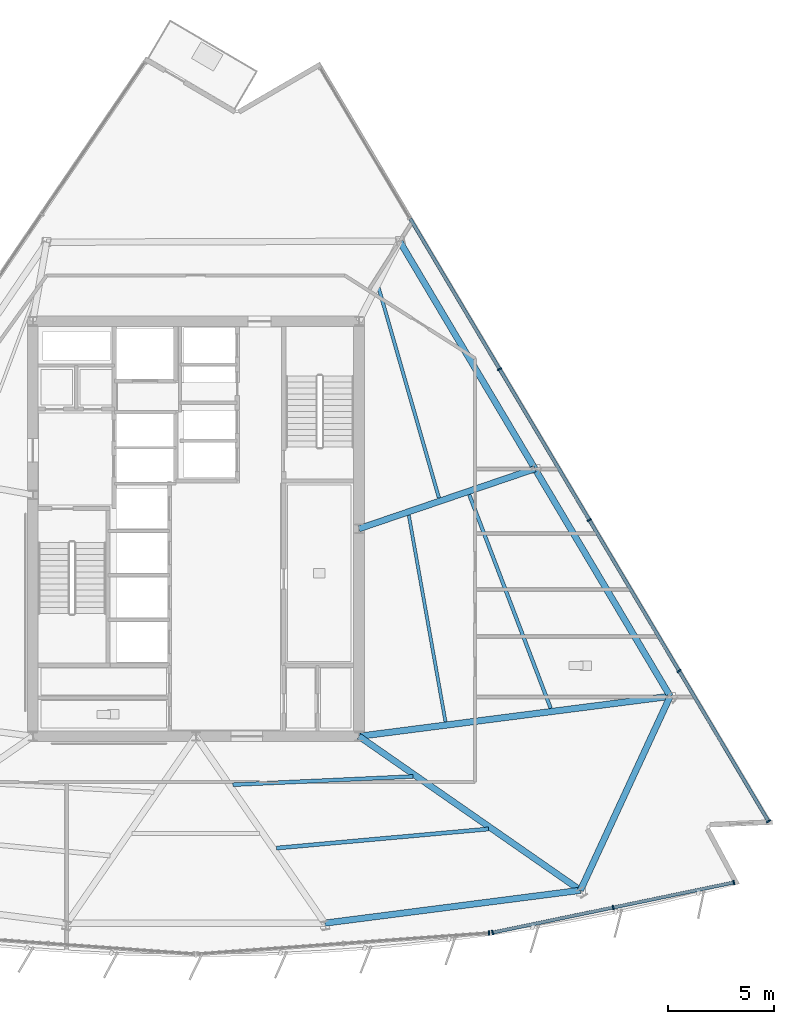
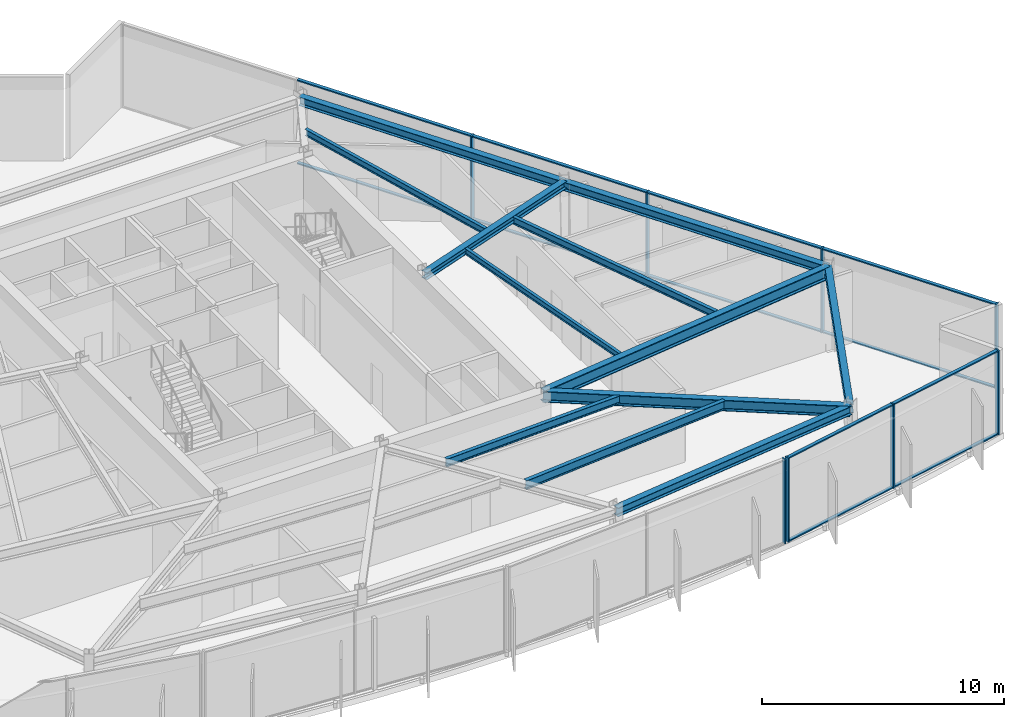
# One storey, part 4 of 14: 20 members, 12 beams, 3 elements without a shape of their own.
"""IFC4 building model written with IfcOpenShell, lengths in metres."""

from ifc_helpers import new_model, si_unit, direction, frame, origin, origin_2d, place, context, subcontext, project, spatial, rectangle, i_section, extrude, material, material_profile, profile_set, type_object, element, aggregate, save


model = new_model("IFC4")

# Units and contexts
model_context = context("Model", 3, precision=1e-05, world=origin(), true_north=direction((0.0, 1.0)))
body_context = subcontext(model_context, "Body", "Model", "MODEL_VIEW")
ifc_project = project(units=[si_unit("LENGTHUNIT", "METRE"), si_unit("AREAUNIT", "SQUARE_METRE"), si_unit("VOLUMEUNIT", "CUBIC_METRE"), si_unit("PLANEANGLEUNIT", "RADIAN"), si_unit("MASSUNIT", "GRAM", prefix="KILO")], contexts=[model_context])

# Site, building, storey
site_placement = place(None, origin())
site = spatial("IfcSite", under=ifc_project, at=site_placement, CompositionType="ELEMENT")
building_placement = place(site_placement, origin())
building = spatial("IfcBuilding", under=site, at=building_placement, Name="Savorim Split Tower", CompositionType="ELEMENT")
storey_placement = place(building_placement, frame((0.0, 0.0, 134.10009765625)))
storey = spatial("IfcBuildingStorey", under=building, at=storey_placement, Name="L35", CompositionType="ELEMENT", Elevation=134.10009765625)

# Beams
ifc_material_1 = material(Name="Steel S355", Category="steel")
ifc_material_profile_1 = material_profile(ifc_material_1, i_section(OverallWidth=0.14990234375, OverallDepth=0.300048828125, WebThickness=0.007080078125, FlangeThickness=0.0107421875, FilletRadius=0.014892578125, at=origin_2d()), Name="IPE 300")
ifc_profile_set_1 = profile_set([ifc_material_profile_1], Name="Steel S355")
beam_type_1 = type_object("IfcBeamType", Name="BM-JST-IPE300", PredefinedType="JOIST", material=ifc_profile_set_1)
beam_1_placement = place(storey_placement, frame((11.786376953125, -8.71337890625, 4.099853515625), z_axis=(-0.174985001759, 0.984571099088, 0.0), x_axis=(-0.984571099088, -0.174985001759, 0.0)))
element("IfcBeam", 1, at=beam_1_placement, inside=storey, type_object=beam_type_1, Name="L35 Secondary Floor Joist JS-08", PredefinedType="JOIST", context=body_context, shape_type="SweptSolid", body=[
    extrude(i_section(OverallWidth=0.14990234375, OverallDepth=0.300048828125, WebThickness=0.007080078125, FlangeThickness=0.0107421875, FilletRadius=0.014892578125, at=origin_2d()), origin(), (0.0, 0.0, 1.0), 9.90185546875),
])
ifc_material_profile_2 = material_profile(ifc_material_1, i_section(OverallWidth=0.159912109375, OverallDepth=0.330078125, WebThickness=0.007568359375, FlangeThickness=0.011474609375, FilletRadius=0.01806640625, at=origin_2d()), Name="IPE 330")
ifc_profile_set_2 = profile_set([ifc_material_profile_2], Name="Steel S355")
beam_type_2 = type_object("IfcBeamType", Name="BM-JST-IPE330", PredefinedType="JOIST", material=ifc_profile_set_2)
beam_2_placement = place(storey_placement, frame((11.476806640625, 1.856689453125, 4.0849609375), z_axis=(-0.275969785648, 0.961166311004, 0.0), x_axis=(-0.961166311004, -0.275969785648, 0.0)))
element("IfcBeam", 2, at=beam_2_placement, inside=storey, type_object=beam_type_2, Name="L35 Secondary Floor Joist JS-07", PredefinedType="JOIST", context=body_context, shape_type="SweptSolid", body=[
    extrude(i_section(OverallWidth=0.159912109375, OverallDepth=0.330078125, WebThickness=0.007568359375, FlangeThickness=0.011474609375, FilletRadius=0.01806640625, at=origin_2d()), origin(), (0.0, 0.0, 1.0), 10.32763671875),
])
ifc_material_profile_3 = material_profile(ifc_material_1, i_section(OverallWidth=0.169921875, OverallDepth=0.360107421875, WebThickness=0.008056640625, FlangeThickness=0.0126953125, FilletRadius=0.01806640625, at=origin_2d()), Name="IPE 360")
ifc_profile_set_3 = profile_set([ifc_material_profile_3], Name="Steel S355")
beam_type_3 = type_object("IfcBeamType", Name="BM-JST-IPE360", PredefinedType="JOIST", material=ifc_profile_set_3)
beam_3_placement = place(storey_placement, frame((16.75341796875, -8.0791015625, 4.06982421875), z_axis=(-0.356340479419, 0.934356175517, 0.0), x_axis=(-0.934356175517, -0.356340479419, 0.0)))
element("IfcBeam", 3, at=beam_3_placement, inside=storey, type_object=beam_type_3, Name="L35 Secondary Floor Joist JS-06", PredefinedType="JOIST", context=body_context, shape_type="SweptSolid", body=[
    extrude(i_section(OverallWidth=0.169921875, OverallDepth=0.360107421875, WebThickness=0.008056640625, FlangeThickness=0.0126953125, FilletRadius=0.01806640625, at=origin_2d()), origin(), (0.0, 0.0, 1.0), 10.794189453125),
])
ifc_material_profile_4 = material_profile(ifc_material_1, i_section(OverallWidth=0.179931640625, OverallDepth=0.39990234375, WebThickness=0.008544921875, FlangeThickness=0.013427734375, FilletRadius=0.02099609375, at=origin_2d()), Name="IPE 400")
ifc_profile_set_4 = profile_set([ifc_material_profile_4], Name="Steel S355")
beam_type_4 = type_object("IfcBeamType", Name="BM-JST-IPE400", PredefinedType="JOIST", material=ifc_profile_set_4)
beam_4_placement = place(storey_placement, frame((1.741943359375, -11.686279296875, 4.0498046875), z_axis=(0.998962982859, 0.045529758148, 0.0), x_axis=(-0.045529758148, 0.998962982859, 0.0)))
element("IfcBeam", 4, at=beam_4_placement, inside=storey, type_object=beam_type_4, Name="L35 Secondary Floor Joist JS-05", PredefinedType="JOIST", context=body_context, shape_type="SweptSolid", body=[
    extrude(i_section(OverallWidth=0.179931640625, OverallDepth=0.39990234375, WebThickness=0.008544921875, FlangeThickness=0.013427734375, FilletRadius=0.02099609375, at=origin_2d()), origin(), (0.0, 0.0, 1.0), 8.52587890625),
])
ifc_material_profile_5 = material_profile(ifc_material_1, i_section(OverallWidth=0.18994140625, OverallDepth=0.449951171875, WebThickness=0.009521484375, FlangeThickness=0.0146484375, FilletRadius=0.02099609375, at=origin_2d()), Name="IPE 450")
ifc_profile_set_5 = profile_set([ifc_material_profile_5], Name="Steel S355")
beam_type_5 = type_object("IfcBeamType", Name="BM-JST-IPE450", PredefinedType="JOIST", material=ifc_profile_set_5)
beam_5_placement = place(storey_placement, frame((3.810546875, -14.6787109375, 4.02490234375), z_axis=(0.995967774434, 0.089711717682, 0.0), x_axis=(-0.089711717682, 0.995967774434, 0.0)))
element("IfcBeam", 5, at=beam_5_placement, inside=storey, type_object=beam_type_5, Name="L35 Secondary Floor Joist JS-04", PredefinedType="JOIST", context=body_context, shape_type="SweptSolid", body=[
    extrude(i_section(OverallWidth=0.18994140625, OverallDepth=0.449951171875, WebThickness=0.009521484375, FlangeThickness=0.0146484375, FilletRadius=0.02099609375, at=origin_2d()), origin(), (0.0, 0.0, 1.0), 10.044677734375),
])
ifc_material_profile_6 = material_profile(ifc_material_1, i_section(OverallWidth=0.300048828125, OverallDepth=0.360107421875, WebThickness=0.012451171875, FlangeThickness=0.0224609375, FilletRadius=0.027099609375, at=origin_2d()), Name="HEB 360")
ifc_profile_set_6 = profile_set([ifc_material_profile_6], Name="Steel S355")
beam_type_6 = type_object("IfcBeamType", Name="BM-PRI-HEB360", PredefinedType="BEAM", material=ifc_profile_set_6)
beam_6_placement = place(storey_placement, frame((16.00634765625, 3.232666015625, 4.06982421875), z_axis=(-0.946474073356, -0.322779845197, 0.0), x_axis=(0.322779845197, -0.946474073356, 0.0)))
element("IfcBeam", 6, at=beam_6_placement, inside=storey, type_object=beam_type_6, Name="L35 Primary Floor Girder RG-06", PredefinedType="BEAM", context=body_context, shape_type="SweptSolid", body=[
    extrude(i_section(OverallWidth=0.300048828125, OverallDepth=0.360107421875, WebThickness=0.012451171875, FlangeThickness=0.0224609375, FilletRadius=0.027099609375, at=origin_2d()), origin(), (0.0, 0.0, 1.0), 8.776123046875),
])
ifc_material_profile_7 = material_profile(ifc_material_1, i_section(OverallWidth=0.300048828125, OverallDepth=0.550048828125, WebThickness=0.014892578125, FlangeThickness=0.029052734375, FilletRadius=0.027099609375, at=origin_2d()), Name="HEB 550")
ifc_profile_set_7 = profile_set([ifc_material_profile_7], Name="Steel S355")
beam_type_7 = type_object("IfcBeamType", Name="BM-PRI-HEB550", PredefinedType="BEAM", material=ifc_profile_set_7)
beam_7_placement = place(storey_placement, frame((18.156982421875, -16.672119140625, 3.974853515625), z_axis=(-0.82098762622, 0.57094598483, 0.0), x_axis=(-0.57094598483, -0.82098762622, 0.0)))
element("IfcBeam", 7, at=beam_7_placement, inside=storey, type_object=beam_type_7, Name="L35 Primary Floor Girder RG-04", PredefinedType="BEAM", context=body_context, shape_type="SweptSolid", body=[
    extrude(i_section(OverallWidth=0.300048828125, OverallDepth=0.550048828125, WebThickness=0.014892578125, FlangeThickness=0.029052734375, FilletRadius=0.027099609375, at=origin_2d()), origin(), (0.0, 0.0, 1.0), 12.737060546875),
])
ifc_material_2 = material(Name="Steel S460", Category="steel")
ifc_material_profile_8 = material_profile(ifc_material_2, i_section(OverallWidth=0.304931640625, OverallDepth=0.6201171875, WebThickness=0.02099609375, FlangeThickness=0.0400390625, FilletRadius=0.027099609375, at=origin_2d()), Name="HE 600 M")
ifc_profile_set_8 = profile_set([ifc_material_profile_8], Name="Steel S460")
beam_type_8 = type_object("IfcBeamType", Name="BM-PRI-HEM600", PredefinedType="BEAM", material=ifc_profile_set_8)
beam_8_placement = place(storey_placement, frame((22.394287109375, -7.510498046875, 3.93994140625), z_axis=(-0.991834643809, -0.127530542773, 0.0), x_axis=(0.127530542773, -0.991834643809, 0.0)))
element("IfcBeam", 8, at=beam_8_placement, inside=storey, type_object=beam_type_8, Name="L35 Primary Floor Girder RG-05", PredefinedType="BEAM", context=body_context, shape_type="SweptSolid", body=[
    extrude(i_section(OverallWidth=0.304931640625, OverallDepth=0.6201171875, WebThickness=0.02099609375, FlangeThickness=0.0400390625, FilletRadius=0.027099609375, at=origin_2d()), origin(), (0.0, 0.0, 1.0), 14.8154296875),
])
ifc_material_profile_9 = material_profile(ifc_material_1, i_section(OverallWidth=0.300048828125, OverallDepth=0.43994140625, WebThickness=0.011474609375, FlangeThickness=0.02099609375, FilletRadius=0.027099609375, at=origin_2d()), Name="HEA 450")
ifc_profile_set_9 = profile_set([ifc_material_profile_9], Name="Steel S355")
beam_type_9 = type_object("IfcBeamType", Name="BM-SPN-HEA450", PredefinedType="SPANDREL", material=ifc_profile_set_9)
beam_9_placement = place(storey_placement, frame((6.085205078125, -18.221923828125, 4.02978515625), z_axis=(0.99185946223, 0.127337375445, 0.0), x_axis=(-0.127337375445, 0.99185946223, 0.0)))
element("IfcBeam", 9, at=beam_9_placement, inside=storey, type_object=beam_type_9, Name="L35 Perimeter Spandrel Beam 3", PredefinedType="SPANDREL", context=body_context, shape_type="SweptSolid", body=[
    extrude(i_section(OverallWidth=0.300048828125, OverallDepth=0.43994140625, WebThickness=0.011474609375, FlangeThickness=0.02099609375, FilletRadius=0.027099609375, at=origin_2d()), origin(), (0.0, 0.0, 1.0), 12.1708984375),
])
beam_10_placement = place(storey_placement, frame((18.156982421875, -16.672119140625, 4.02978515625), z_axis=(0.419781989384, 0.907624967367, 0.0), x_axis=(-0.907624967367, 0.419781989384, 0.0)))
element("IfcBeam", 10, at=beam_10_placement, inside=storey, type_object=beam_type_9, Name="L35 Perimeter Spandrel Beam 4", PredefinedType="SPANDREL", context=body_context, shape_type="SweptSolid", body=[
    extrude(i_section(OverallWidth=0.300048828125, OverallDepth=0.43994140625, WebThickness=0.011474609375, FlangeThickness=0.02099609375, FilletRadius=0.027099609375, at=origin_2d()), origin(), (0.0, 0.0, 1.0), 10.093994140625),
])
beam_11_placement = place(storey_placement, frame((22.394287109375, -7.510498046875, 4.02978515625), z_axis=(-0.511082023344, 0.859531945546, 0.0), x_axis=(-0.859531945546, -0.511082023344, 0.0)))
element("IfcBeam", 11, at=beam_11_placement, inside=storey, type_object=beam_type_9, Name="L35 Perimeter Spandrel Beam 5", PredefinedType="SPANDREL", context=body_context, shape_type="SweptSolid", body=[
    extrude(i_section(OverallWidth=0.300048828125, OverallDepth=0.43994140625, WebThickness=0.011474609375, FlangeThickness=0.02099609375, FilletRadius=0.027099609375, at=origin_2d()), origin(), (0.0, 0.0, 1.0), 12.498779296875),
])
beam_12_placement = place(storey_placement, frame((16.00634765625, 3.232666015625, 4.02978515625), z_axis=(-0.511096454044, 0.859523364815, 0.0), x_axis=(-0.859523364815, -0.511096454044, 0.0)))
element("IfcBeam", 12, at=beam_12_placement, inside=storey, type_object=beam_type_9, Name="L35 Perimeter Spandrel Beam 6", PredefinedType="SPANDREL", context=body_context, shape_type="SweptSolid", body=[
    extrude(i_section(OverallWidth=0.300048828125, OverallDepth=0.43994140625, WebThickness=0.011474609375, FlangeThickness=0.02099609375, FilletRadius=0.027099609375, at=origin_2d()), origin(), (0.0, 0.0, 1.0), 12.4990234375),
])

# Curtain wall, member
ifc_material_3 = material(Name="Dark Ceramic-Fritted Insulated Glass", Category="glass")
curtain_wall_type = type_object("IfcCurtainWallType", Name="CW-SKY-ATRIUM", PredefinedType="NOTDEFINED", material=ifc_material_3)
curtain_wall_1_placement = place(storey_placement, origin())
curtain_wall_1 = element("IfcCurtainWall", 13, at=curtain_wall_1_placement, inside=storey, type_object=curtain_wall_type, Name="L35 Curtain Wall CW-L35-SF3", PredefinedType="NOTDEFINED")
ifc_material_4 = material(Name="Charcoal Anodised Aluminium", Category="aluminium")
ifc_material_profile_10 = material_profile(ifc_material_4, rectangle(XDim=0.219970703125, YDim=0.070068359375, at=origin_2d()), Name="ALU-M 220x70")
ifc_profile_set_10 = profile_set([ifc_material_profile_10], Name="Charcoal Anodised Aluminium")
member_type_1 = type_object("IfcMemberType", Name="CWM-220x70", PredefinedType="MULLION", material=ifc_profile_set_10)
member_1_placement = place(storey_placement, frame((13.837646484375, -18.6884765625, 0.0), z_axis=(0.0, 0.0, 1.0), x_axis=(-0.071560918492, 0.997436231017, 0.0)))
member_1 = element("IfcMember", 14, at=member_1_placement, type_object=member_type_1, Name="CW-05 mullion 3", PredefinedType="MULLION", context=body_context, shape_type="SweptSolid", body=[
    extrude(rectangle(XDim=0.219970703125, YDim=0.070068359375, at=origin_2d()), origin(), (0.0, 0.0, 1.0), 4.25),
])
aggregate(curtain_wall_1, [member_1])

# Curtain wall, members
curtain_wall_2_placement = place(storey_placement, origin())
curtain_wall_2 = element("IfcCurtainWall", 15, at=curtain_wall_2_placement, inside=storey, type_object=curtain_wall_type, Name="L35 Curtain Wall CW-L35-SF4", PredefinedType="NOTDEFINED")
member_2_placement = place(storey_placement, frame((14.009521484375, -18.66455078125, 0.0), z_axis=(0.0, 0.0, 1.0), x_axis=(-0.203209964912, 0.979135184824, 0.0)))
member_2 = element("IfcMember", 16, at=member_2_placement, type_object=member_type_1, Name="CW-05 mullion 1", PredefinedType="MULLION", context=body_context, shape_type="SweptSolid", body=[
    extrude(rectangle(XDim=0.219970703125, YDim=0.070068359375, at=origin_2d()), origin(), (0.0, 0.0, 1.0), 4.25),
])
member_3_placement = place(storey_placement, frame((19.70458984375, -17.482666015625, 0.0), z_axis=(0.0, 0.0, 1.0), x_axis=(-0.203209964912, 0.979135184824, 0.0)))
member_3 = element("IfcMember", 17, at=member_3_placement, type_object=member_type_1, Name="CW-05 mullion 2", PredefinedType="MULLION", context=body_context, shape_type="SweptSolid", body=[
    extrude(rectangle(XDim=0.219970703125, YDim=0.070068359375, at=origin_2d()), origin(), (0.0, 0.0, 1.0), 4.25),
])
member_4_placement = place(storey_placement, frame((25.3994140625, -16.30078125, 0.0), z_axis=(0.0, 0.0, 1.0), x_axis=(-0.203209964912, 0.979135184824, 0.0)))
member_4 = element("IfcMember", 18, at=member_4_placement, type_object=member_type_1, Name="CW-05 mullion 3", PredefinedType="MULLION", context=body_context, shape_type="SweptSolid", body=[
    extrude(rectangle(XDim=0.219970703125, YDim=0.070068359375, at=origin_2d()), origin(), (0.0, 0.0, 1.0), 4.25),
])

curtain_wall_3_placement = place(storey_placement, origin())
curtain_wall_3 = element("IfcCurtainWall", 19, at=curtain_wall_3_placement, inside=storey, type_object=curtain_wall_type, Name="L35 Curtain Wall CW-L35-EAST", PredefinedType="NOTDEFINED")
member_5_placement = place(storey_placement, frame((27.03125, -13.411376953125, 0.0), z_axis=(0.0, 0.0, 1.0), x_axis=(-0.859526723197, -0.51109080613, 0.0)))
member_5 = element("IfcMember", 20, at=member_5_placement, type_object=member_type_1, Name="CW-05 mullion 1", PredefinedType="MULLION", context=body_context, shape_type="SweptSolid", body=[
    extrude(rectangle(XDim=0.219970703125, YDim=0.070068359375, at=origin_2d()), origin(), (0.0, 0.0, 1.0), 4.25),
])
member_6_placement = place(storey_placement, frame((22.8115234375, -6.31494140625, 0.0), z_axis=(0.0, 0.0, 1.0), x_axis=(-0.859526723197, -0.51109080613, 0.0)))
member_6 = element("IfcMember", 21, at=member_6_placement, type_object=member_type_1, Name="CW-05 mullion 2", PredefinedType="MULLION", context=body_context, shape_type="SweptSolid", body=[
    extrude(rectangle(XDim=0.219970703125, YDim=0.070068359375, at=origin_2d()), origin(), (0.0, 0.0, 1.0), 4.25),
])
member_7_placement = place(storey_placement, frame((18.57421875, 0.811279296875, 0.0), z_axis=(0.0, 0.0, 1.0), x_axis=(-0.859526723197, -0.51109080613, 0.0)))
member_7 = element("IfcMember", 22, at=member_7_placement, type_object=member_type_1, Name="CW-05 mullion 3", PredefinedType="MULLION", context=body_context, shape_type="SweptSolid", body=[
    extrude(rectangle(XDim=0.219970703125, YDim=0.070068359375, at=origin_2d()), origin(), (0.0, 0.0, 1.0), 4.25),
])
member_8_placement = place(storey_placement, frame((14.336669921875, 7.937744140625, 0.0), z_axis=(0.0, 0.0, 1.0), x_axis=(-0.859526723197, -0.51109080613, 0.0)))
member_8 = element("IfcMember", 23, at=member_8_placement, type_object=member_type_1, Name="CW-05 mullion 4", PredefinedType="MULLION", context=body_context, shape_type="SweptSolid", body=[
    extrude(rectangle(XDim=0.219970703125, YDim=0.070068359375, at=origin_2d()), origin(), (0.0, 0.0, 1.0), 4.25),
])

# Member
ifc_material_profile_11 = material_profile(ifc_material_4, rectangle(XDim=0.159912109375, YDim=0.06005859375, at=origin_2d()), Name="ALU-T 160x60")
ifc_profile_set_11 = profile_set([ifc_material_profile_11], Name="Charcoal Anodised Aluminium")
member_type_2 = type_object("IfcMemberType", Name="CWT-160x60", PredefinedType="USERDEFINED", material=ifc_profile_set_11)
member_9_placement = place(storey_placement, frame((14.0439453125, -18.657470703125, 0.02978515625), z_axis=(0.979133199419, 0.20321953104, 0.0), x_axis=(-0.20321953104, 0.979133199419, 0.0)))
member_9 = element("IfcMember", 24, at=member_9_placement, type_object=member_type_2, Name="CW-05 transom 1.1", ObjectType="TRANSOM", PredefinedType="USERDEFINED", context=body_context, shape_type="SweptSolid", body=[
    extrude(rectangle(XDim=0.159912109375, YDim=0.06005859375, at=origin_2d()), origin(), (0.0, 0.0, 1.0), 5.74609375),
])

member_10_placement = place(storey_placement, frame((14.0439453125, -18.657470703125, 4.219970703125), z_axis=(0.979133199419, 0.20321953104, 0.0), x_axis=(-0.20321953104, 0.979133199419, 0.0)))
member_10 = element("IfcMember", 25, at=member_10_placement, type_object=member_type_2, Name="CW-05 transom 1.2", ObjectType="TRANSOM", PredefinedType="USERDEFINED", context=body_context, shape_type="SweptSolid", body=[
    extrude(rectangle(XDim=0.159912109375, YDim=0.06005859375, at=origin_2d()), origin(), (0.0, 0.0, 1.0), 5.74609375),
])

member_11_placement = place(storey_placement, frame((19.73876953125, -17.4755859375, 0.02978515625), z_axis=(0.979134953981, 0.203211077189, 0.0), x_axis=(-0.203211077189, 0.979134953981, 0.0)))
member_11 = element("IfcMember", 26, at=member_11_placement, type_object=member_type_2, Name="CW-05 transom 2.1", ObjectType="TRANSOM", PredefinedType="USERDEFINED", context=body_context, shape_type="SweptSolid", body=[
    extrude(rectangle(XDim=0.159912109375, YDim=0.06005859375, at=origin_2d()), origin(), (0.0, 0.0, 1.0), 5.746337890625),
])

member_12_placement = place(storey_placement, frame((19.73876953125, -17.4755859375, 4.219970703125), z_axis=(0.979134953981, 0.203211077189, 0.0), x_axis=(-0.203211077189, 0.979134953981, 0.0)))
member_12 = element("IfcMember", 27, at=member_12_placement, type_object=member_type_2, Name="CW-05 transom 2.2", ObjectType="TRANSOM", PredefinedType="USERDEFINED", context=body_context, shape_type="SweptSolid", body=[
    extrude(rectangle(XDim=0.159912109375, YDim=0.06005859375, at=origin_2d()), origin(), (0.0, 0.0, 1.0), 5.746337890625),
])

aggregate(curtain_wall_2, [member_2, member_3, member_4, member_9, member_10, member_11, member_12])

member_13_placement = place(storey_placement, frame((27.013427734375, -13.38134765625, 0.02978515625), z_axis=(-0.511092662647, 0.859525619274, 0.0), x_axis=(-0.859525619274, -0.511092662647, 0.0)))
member_13 = element("IfcMember", 28, at=member_13_placement, type_object=member_type_2, Name="CW-05 transom 1.1", ObjectType="TRANSOM", PredefinedType="USERDEFINED", context=body_context, shape_type="SweptSolid", body=[
    extrude(rectangle(XDim=0.159912109375, YDim=0.06005859375, at=origin_2d()), origin(), (0.0, 0.0, 1.0), 8.18603515625),
])

member_14_placement = place(storey_placement, frame((27.013427734375, -13.38134765625, 4.219970703125), z_axis=(-0.511092662647, 0.859525619274, 0.0), x_axis=(-0.859525619274, -0.511092662647, 0.0)))
member_14 = element("IfcMember", 29, at=member_14_placement, type_object=member_type_2, Name="CW-05 transom 1.2", ObjectType="TRANSOM", PredefinedType="USERDEFINED", context=body_context, shape_type="SweptSolid", body=[
    extrude(rectangle(XDim=0.159912109375, YDim=0.06005859375, at=origin_2d()), origin(), (0.0, 0.0, 1.0), 8.18603515625),
])

member_15_placement = place(storey_placement, frame((22.793701171875, -6.284912109375, 0.02978515625), z_axis=(-0.511089624407, 0.85952742587, 0.0), x_axis=(-0.85952742587, -0.511089624407, 0.0)))
member_15 = element("IfcMember", 30, at=member_15_placement, type_object=member_type_2, Name="CW-05 transom 2.1", ObjectType="TRANSOM", PredefinedType="USERDEFINED", context=body_context, shape_type="SweptSolid", body=[
    extrude(rectangle(XDim=0.159912109375, YDim=0.06005859375, at=origin_2d()), origin(), (0.0, 0.0, 1.0), 8.220947265625),
])

member_16_placement = place(storey_placement, frame((22.793701171875, -6.284912109375, 4.219970703125), z_axis=(-0.511089624407, 0.85952742587, 0.0), x_axis=(-0.85952742587, -0.511089624407, 0.0)))
member_16 = element("IfcMember", 31, at=member_16_placement, type_object=member_type_2, Name="CW-05 transom 2.2", ObjectType="TRANSOM", PredefinedType="USERDEFINED", context=body_context, shape_type="SweptSolid", body=[
    extrude(rectangle(XDim=0.159912109375, YDim=0.06005859375, at=origin_2d()), origin(), (0.0, 0.0, 1.0), 8.220947265625),
])

member_17_placement = place(storey_placement, frame((18.55615234375, 0.841552734375, 0.02978515625), z_axis=(-0.511089624407, 0.85952742587, 0.0), x_axis=(-0.85952742587, -0.511089624407, 0.0)))
member_17 = element("IfcMember", 32, at=member_17_placement, type_object=member_type_2, Name="CW-05 transom 3.1", ObjectType="TRANSOM", PredefinedType="USERDEFINED", context=body_context, shape_type="SweptSolid", body=[
    extrude(rectangle(XDim=0.159912109375, YDim=0.06005859375, at=origin_2d()), origin(), (0.0, 0.0, 1.0), 8.220947265625),
])

member_18_placement = place(storey_placement, frame((18.55615234375, 0.841552734375, 4.219970703125), z_axis=(-0.511089624407, 0.85952742587, 0.0), x_axis=(-0.85952742587, -0.511089624407, 0.0)))
member_18 = element("IfcMember", 33, at=member_18_placement, type_object=member_type_2, Name="CW-05 transom 3.2", ObjectType="TRANSOM", PredefinedType="USERDEFINED", context=body_context, shape_type="SweptSolid", body=[
    extrude(rectangle(XDim=0.159912109375, YDim=0.06005859375, at=origin_2d()), origin(), (0.0, 0.0, 1.0), 8.220947265625),
])

member_19_placement = place(storey_placement, frame((14.31884765625, 7.9677734375, 0.02978515625), z_axis=(-0.511089624407, 0.85952742587, 0.0), x_axis=(-0.85952742587, -0.511089624407, 0.0)))
member_19 = element("IfcMember", 34, at=member_19_placement, type_object=member_type_2, Name="CW-05 transom 4.1", ObjectType="TRANSOM", PredefinedType="USERDEFINED", context=body_context, shape_type="SweptSolid", body=[
    extrude(rectangle(XDim=0.159912109375, YDim=0.06005859375, at=origin_2d()), origin(), (0.0, 0.0, 1.0), 8.220947265625),
])

member_20_placement = place(storey_placement, frame((14.31884765625, 7.9677734375, 4.219970703125), z_axis=(-0.511089624407, 0.85952742587, 0.0), x_axis=(-0.85952742587, -0.511089624407, 0.0)))
member_20 = element("IfcMember", 35, at=member_20_placement, type_object=member_type_2, Name="CW-05 transom 4.2", ObjectType="TRANSOM", PredefinedType="USERDEFINED", context=body_context, shape_type="SweptSolid", body=[
    extrude(rectangle(XDim=0.159912109375, YDim=0.06005859375, at=origin_2d()), origin(), (0.0, 0.0, 1.0), 8.220947265625),
])

aggregate(curtain_wall_3, [member_5, member_6, member_7, member_8, member_13, member_14, member_15, member_16, member_17, member_18, member_19, member_20])

save(model, "model.ifc")
